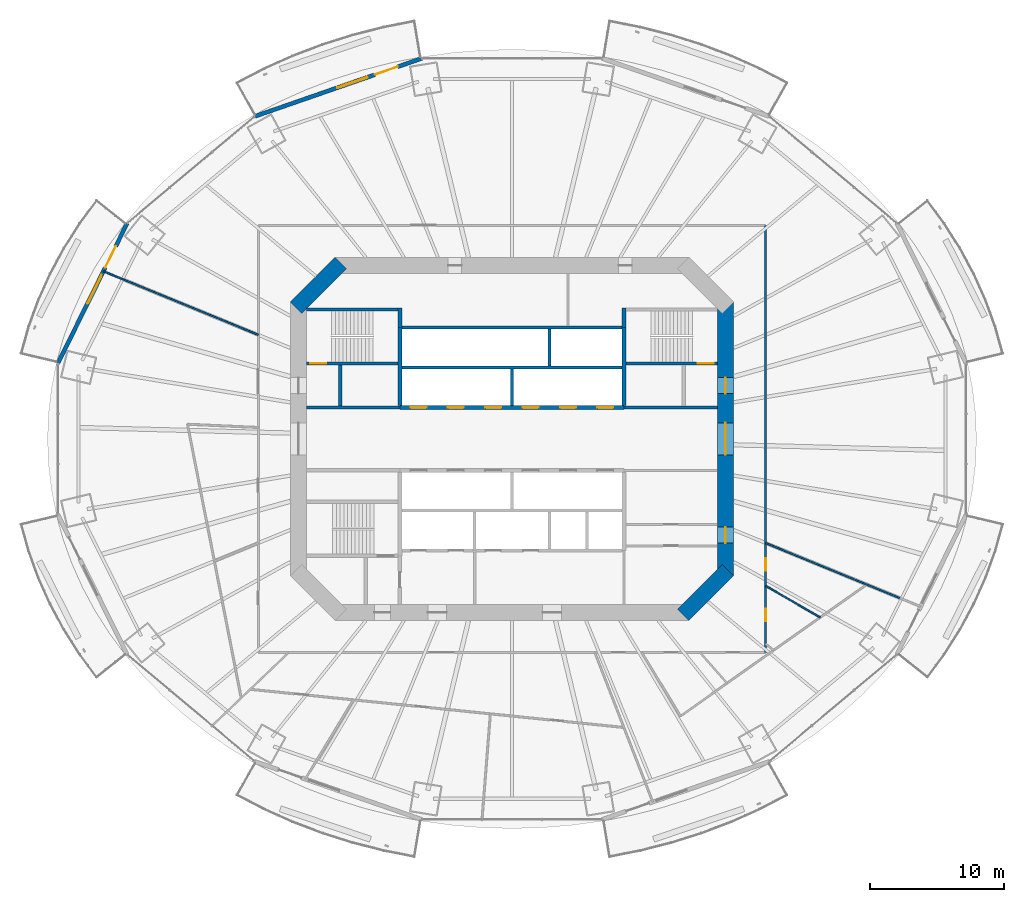
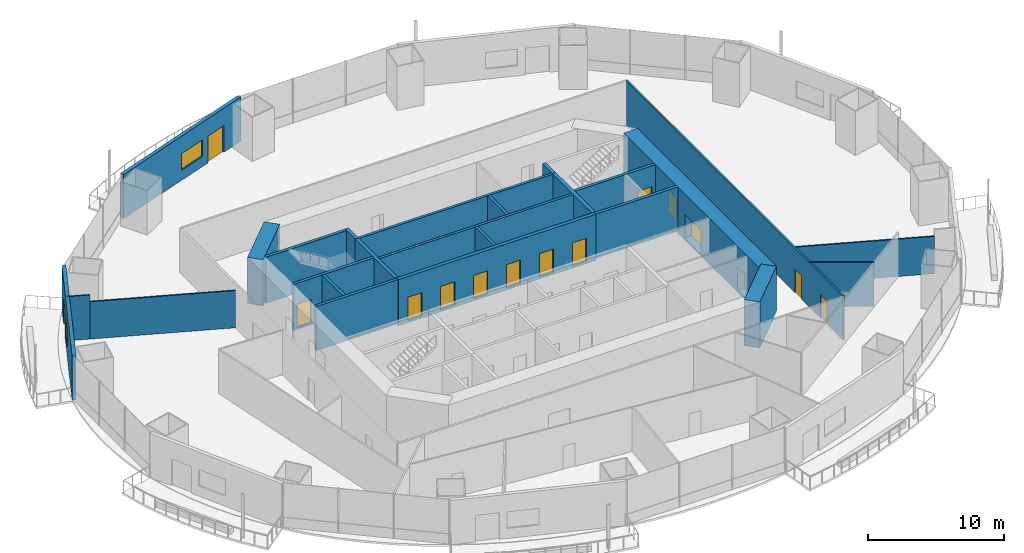
# One storey, part 15 of 22: 25 walls, 15 doors, 2 windows, 17 openings.
"""IFC4 building model written with IfcOpenShell, lengths in metres."""

from ifc_helpers import new_model, si_unit, direction, frame, frame_2d, origin, place, context, subcontext, project, spatial, rectangle, extrude, material, layer, layer_set, type_object, element, fill, save


model = new_model("IFC4")

# Units and contexts
model_context = context("Model", 3, precision=1e-05, world=origin(), true_north=direction((0.0, 1.0)))
body_context = subcontext(model_context, "Body", "Model", "MODEL_VIEW")
ifc_project = project(units=[si_unit("LENGTHUNIT", "METRE"), si_unit("AREAUNIT", "SQUARE_METRE"), si_unit("VOLUMEUNIT", "CUBIC_METRE"), si_unit("PLANEANGLEUNIT", "RADIAN"), si_unit("MASSUNIT", "GRAM", prefix="KILO")], contexts=[model_context])

# Site, building, storey
site_placement = place(None, origin())
site = spatial("IfcSite", under=ifc_project, at=site_placement, CompositionType="ELEMENT")
building_placement = place(site_placement, origin())
building = spatial("IfcBuilding", under=site, at=building_placement, Name="Marenthal Gate Tower", CompositionType="ELEMENT")
storey_placement = place(building_placement, frame((0.0, 0.0, 99.39990234375)))
storey = spatial("IfcBuildingStorey", under=building, at=storey_placement, Name="L20", CompositionType="ELEMENT", Elevation=99.39990234375)

# Wall
ifc_material_1 = material(Name="Concrete 60 MPa", Category="concrete")
ifc_layer_1 = layer(ifc_material_1, 1.199951171875)
ifc_layer_set_1 = layer_set([ifc_layer_1], Name="Core shear wall 1200")
wall_type_1 = type_object("IfcWallType", Name="Core shear wall 1200", PredefinedType="SHEAR", material=ifc_layer_set_1)
wall_1_placement = place(storey_placement, frame((12.82421875, -13.17578125, -0.179931640625), z_axis=(0.0, 0.0, 1.0), x_axis=(0.707106781187, 0.707106781187, 0.0)))
element("IfcWall", 1, at=wall_1_placement, inside=storey, type_object=wall_type_1, Name="Core wall 01", PredefinedType="SHEAR", context=body_context, shape_type="SweptSolid", body=[
    extrude(rectangle(XDim=4.73974609375, YDim=1.199951171875, at=frame_2d((2.369873046875, 0.0))), origin(), (0.0, 0.0, 1.0), 4.150146484375),
])

# Wall, openings, doors
wall_2_placement = place(storey_placement, frame((16.0, -10.24853515625, -0.179931640625), z_axis=(0.0, 0.0, 1.0), x_axis=(0.0, 1.0, 0.0)))
wall_2 = element("IfcWall", 2, at=wall_2_placement, inside=storey, type_object=wall_type_1, Name="Core wall 02", PredefinedType="SHEAR", context=body_context, shape_type="SweptSolid", body=[
    extrude(rectangle(XDim=20.4970703125, YDim=1.199951171875, at=frame_2d((10.24853515625, 0.0))), origin(), (0.0, 0.0, 1.0), 4.150146484375),
])
opening_1_placement = place(wall_2_placement, frame((9.048583984375, 0.0, 0.179931640625)))
opening_1 = element("IfcOpeningElement", 3, at=opening_1_placement, cuts=wall_2, Name="Opening D003.02", PredefinedType="OPENING", context=body_context, shape_type="SweptSolid", body=[
    extrude(rectangle(XDim=2.39990234375, YDim=2.10009765625, at=frame_2d((1.199951171875, 1.050048828125))), frame((0.0, 0.60986328125, 0.0), z_axis=(0.0, -1.0, 0.0), x_axis=(1.0, 0.0, 0.0)), (0.0, 0.0, 1.0), 1.219970703125),
])
opening_2_placement = place(wall_2_placement, frame((13.6484375, 0.0, 0.179931640625)))
opening_2 = element("IfcOpeningElement", 4, at=opening_2_placement, cuts=wall_2, Name="Opening D001.05", PredefinedType="OPENING", context=body_context, shape_type="SweptSolid", body=[
    extrude(rectangle(XDim=1.199951171875, YDim=2.10009765625, at=frame_2d((0.60009765625, 1.050048828125))), frame((0.0, 0.60986328125, 0.0), z_axis=(0.0, -1.0, 0.0), x_axis=(1.0, 0.0, 0.0)), (0.0, 0.0, 1.0), 1.219970703125),
])
opening_3_placement = place(wall_2_placement, frame((2.448486328125, 0.0, 0.179931640625)))
opening_3 = element("IfcOpeningElement", 5, at=opening_3_placement, cuts=wall_2, Name="Opening D006.01", PredefinedType="OPENING", context=body_context, shape_type="SweptSolid", body=[
    extrude(rectangle(XDim=1.199951171875, YDim=2.10009765625, at=frame_2d((0.60009765625, 1.050048828125))), frame((0.0, 0.60986328125, 0.0), z_axis=(0.0, -1.0, 0.0), x_axis=(1.0, 0.0, 0.0)), (0.0, 0.0, 1.0), 1.219970703125),
])
ifc_material_2 = material(Name="Steel fire door", Category="steel")
door_type_1 = type_object("IfcDoorType", Name="Double fire door FD 45 2400 x 2100", OperationType="DOUBLE_DOOR_SINGLE_SWING", PredefinedType="DOOR", material=ifc_material_2)
door_1_placement = place(opening_1_placement, origin())
door_1 = element("IfcDoor", 6, at=door_1_placement, inside=storey, type_object=door_type_1, Name="Door D003.02", OperationType="DOUBLE_DOOR_SINGLE_SWING", OverallHeight=2.10009765625, OverallWidth=2.39990234375, PredefinedType="DOOR", context=body_context, shape_type="SweptSolid", body=[
    extrude(rectangle(XDim=2.39990234375, YDim=2.10009765625, at=frame_2d((1.199951171875, 1.050048828125))), frame((0.0, 0.02490234375, 0.0), z_axis=(0.0, -1.0, 0.0), x_axis=(1.0, 0.0, 0.0)), (0.0, 0.0, 1.0), 0.050048828125),
])
fill(opening_1, door_1)
ifc_material_3 = material(Name="Steel fire door", Category="steel")
door_type_2 = type_object("IfcDoorType", Name="Fire door FD 45 1200 x 2100", OperationType="NOTDEFINED", PredefinedType="DOOR", material=ifc_material_3)
door_2_placement = place(opening_3_placement, origin())
door_2 = element("IfcDoor", 7, at=door_2_placement, inside=storey, type_object=door_type_2, Name="Door D006.01", OperationType="SINGLE_SWING_RIGHT", OverallHeight=2.10009765625, OverallWidth=1.199951171875, PredefinedType="DOOR", context=body_context, shape_type="SweptSolid", body=[
    extrude(rectangle(XDim=1.199951171875, YDim=2.10009765625, at=frame_2d((0.60009765625, 1.050048828125))), frame((0.0, 0.02490234375, 0.0), z_axis=(0.0, -1.0, 0.0), x_axis=(1.0, 0.0, 0.0)), (0.0, 0.0, 1.0), 0.050048828125),
])
fill(opening_3, door_2)
ifc_material_4 = material(Name="Steel fire door", Category="steel")
door_type_3 = type_object("IfcDoorType", Name="Fire door FD 90 1200 x 2100", OperationType="NOTDEFINED", PredefinedType="DOOR", material=ifc_material_4)
door_3_placement = place(opening_2_placement, origin())
door_3 = element("IfcDoor", 8, at=door_3_placement, inside=storey, type_object=door_type_3, Name="Door D001.05", OperationType="SINGLE_SWING_RIGHT", OverallHeight=2.10009765625, OverallWidth=1.199951171875, PredefinedType="DOOR", context=body_context, shape_type="SweptSolid", body=[
    extrude(rectangle(XDim=1.199951171875, YDim=2.10009765625, at=frame_2d((0.60009765625, 1.050048828125))), frame((0.0, 0.02490234375, 0.0), z_axis=(0.0, -1.0, 0.0), x_axis=(1.0, 0.0, 0.0)), (0.0, 0.0, 1.0), 0.050048828125),
])
fill(opening_2, door_3)

# Wall
wall_3_placement = place(storey_placement, frame((-12.82421875, 13.17578125, -0.179931640625), z_axis=(0.0, 0.0, 1.0), x_axis=(-0.707106781187, -0.707106781187, 0.0)))
element("IfcWall", 9, at=wall_3_placement, inside=storey, type_object=wall_type_1, Name="Core wall 05", PredefinedType="SHEAR", context=body_context, shape_type="SweptSolid", body=[
    extrude(rectangle(XDim=4.73974609375, YDim=1.199951171875, at=frame_2d((2.369873046875, 0.0))), origin(), (0.0, 0.0, 1.0), 4.150146484375),
])

# Wall, openings, doors
ifc_material_5 = material(Name="Concrete 50 MPa", Category="concrete")
ifc_layer_2 = layer(ifc_material_5, 0.300048828125)
ifc_layer_set_2 = layer_set([ifc_layer_2], Name="Hoistway shear wall 300")
wall_type_2 = type_object("IfcWallType", Name="Hoistway shear wall 300", PredefinedType="SHEAR", material=ifc_layer_set_2)
wall_4_placement = place(storey_placement, frame((-8.39990234375, 2.35009765625, -0.179931640625), z_axis=(0.0, 0.0, 1.0), x_axis=(1.0, 0.0, 0.0)))
wall_4 = element("IfcWall", 10, at=wall_4_placement, inside=storey, type_object=wall_type_2, Name="Hoistway wall 20", PredefinedType="SHEAR", context=body_context, shape_type="SweptSolid", body=[
    extrude(rectangle(XDim=16.7998046875, YDim=0.300048828125, at=frame_2d((8.39990234375, 0.0))), origin(), (0.0, 0.0, 1.0), 4.150146484375),
])
opening_4_placement = place(wall_4_placement, frame((0.800048828125, 0.0, 0.179931640625)))
opening_4 = element("IfcOpeningElement", 11, at=opening_4_placement, cuts=wall_4, Name="Opening LD-LP1", PredefinedType="OPENING", context=body_context, shape_type="SweptSolid", body=[
    extrude(rectangle(XDim=1.199951171875, YDim=2.10009765625, at=frame_2d((0.60009765625, 1.050048828125))), frame((0.0, 0.16015625, 0.0), z_axis=(0.0, -1.0, 0.0), x_axis=(1.0, 0.0, 0.0)), (0.0, 0.0, 1.0), 0.320068359375),
])
opening_5_placement = place(wall_4_placement, frame((3.60009765625, 0.0, 0.179931640625)))
opening_5 = element("IfcOpeningElement", 12, at=opening_5_placement, cuts=wall_4, Name="Opening LD-LP2", PredefinedType="OPENING", context=body_context, shape_type="SweptSolid", body=[
    extrude(rectangle(XDim=1.199951171875, YDim=2.10009765625, at=frame_2d((0.60009765625, 1.050048828125))), frame((0.0, 0.16015625, 0.0), z_axis=(0.0, -1.0, 0.0), x_axis=(1.0, 0.0, 0.0)), (0.0, 0.0, 1.0), 0.320068359375),
])
opening_6_placement = place(wall_4_placement, frame((6.39990234375, 0.0, 0.179931640625)))
opening_6 = element("IfcOpeningElement", 13, at=opening_6_placement, cuts=wall_4, Name="Opening LD-LP3", PredefinedType="OPENING", context=body_context, shape_type="SweptSolid", body=[
    extrude(rectangle(XDim=1.199951171875, YDim=2.10009765625, at=frame_2d((0.60009765625, 1.050048828125))), frame((0.0, 0.16015625, 0.0), z_axis=(0.0, -1.0, 0.0), x_axis=(1.0, 0.0, 0.0)), (0.0, 0.0, 1.0), 0.320068359375),
])
opening_7_placement = place(wall_4_placement, frame((9.199951171875, 0.0, 0.179931640625)))
opening_7 = element("IfcOpeningElement", 14, at=opening_7_placement, cuts=wall_4, Name="Opening LD-LP4", PredefinedType="OPENING", context=body_context, shape_type="SweptSolid", body=[
    extrude(rectangle(XDim=1.199951171875, YDim=2.10009765625, at=frame_2d((0.60009765625, 1.050048828125))), frame((0.0, 0.16015625, 0.0), z_axis=(0.0, -1.0, 0.0), x_axis=(1.0, 0.0, 0.0)), (0.0, 0.0, 1.0), 0.320068359375),
])
opening_8_placement = place(wall_4_placement, frame((12.0, 0.0, 0.179931640625)))
opening_8 = element("IfcOpeningElement", 15, at=opening_8_placement, cuts=wall_4, Name="Opening LD-LP5", PredefinedType="OPENING", context=body_context, shape_type="SweptSolid", body=[
    extrude(rectangle(XDim=1.199951171875, YDim=2.10009765625, at=frame_2d((0.60009765625, 1.050048828125))), frame((0.0, 0.16015625, 0.0), z_axis=(0.0, -1.0, 0.0), x_axis=(1.0, 0.0, 0.0)), (0.0, 0.0, 1.0), 0.320068359375),
])
opening_9_placement = place(wall_4_placement, frame((14.800048828125, 0.0, 0.179931640625)))
opening_9 = element("IfcOpeningElement", 16, at=opening_9_placement, cuts=wall_4, Name="Opening LD-LP6", PredefinedType="OPENING", context=body_context, shape_type="SweptSolid", body=[
    extrude(rectangle(XDim=1.199951171875, YDim=2.10009765625, at=frame_2d((0.60009765625, 1.050048828125))), frame((0.0, 0.16015625, 0.0), z_axis=(0.0, -1.0, 0.0), x_axis=(1.0, 0.0, 0.0)), (0.0, 0.0, 1.0), 0.320068359375),
])
ifc_material_6 = material(Name="Stainless steel sliding door", Category="steel")
door_type_4 = type_object("IfcDoorType", Name="Lift landing door FD 90 1200 x 2100", OperationType="DOUBLE_DOOR_SLIDING", PredefinedType="DOOR", material=ifc_material_6)
door_4_placement = place(opening_4_placement, origin())
door_4 = element("IfcDoor", 17, at=door_4_placement, inside=storey, type_object=door_type_4, Name="Lift landing door LP1", OperationType="DOUBLE_DOOR_SLIDING", OverallHeight=2.10009765625, OverallWidth=1.199951171875, PredefinedType="DOOR", context=body_context, shape_type="SweptSolid", body=[
    extrude(rectangle(XDim=1.199951171875, YDim=2.10009765625, at=frame_2d((0.60009765625, 1.050048828125))), frame((0.0, 0.02490234375, 0.0), z_axis=(0.0, -1.0, 0.0), x_axis=(1.0, 0.0, 0.0)), (0.0, 0.0, 1.0), 0.050048828125),
])
fill(opening_4, door_4)
door_5_placement = place(opening_5_placement, origin())
door_5 = element("IfcDoor", 18, at=door_5_placement, inside=storey, type_object=door_type_4, Name="Lift landing door LP2", OperationType="DOUBLE_DOOR_SLIDING", OverallHeight=2.10009765625, OverallWidth=1.199951171875, PredefinedType="DOOR", context=body_context, shape_type="SweptSolid", body=[
    extrude(rectangle(XDim=1.199951171875, YDim=2.10009765625, at=frame_2d((0.60009765625, 1.050048828125))), frame((0.0, 0.02490234375, 0.0), z_axis=(0.0, -1.0, 0.0), x_axis=(1.0, 0.0, 0.0)), (0.0, 0.0, 1.0), 0.050048828125),
])
fill(opening_5, door_5)
door_6_placement = place(opening_6_placement, origin())
door_6 = element("IfcDoor", 19, at=door_6_placement, inside=storey, type_object=door_type_4, Name="Lift landing door LP3", OperationType="DOUBLE_DOOR_SLIDING", OverallHeight=2.10009765625, OverallWidth=1.199951171875, PredefinedType="DOOR", context=body_context, shape_type="SweptSolid", body=[
    extrude(rectangle(XDim=1.199951171875, YDim=2.10009765625, at=frame_2d((0.60009765625, 1.050048828125))), frame((0.0, 0.02490234375, 0.0), z_axis=(0.0, -1.0, 0.0), x_axis=(1.0, 0.0, 0.0)), (0.0, 0.0, 1.0), 0.050048828125),
])
fill(opening_6, door_6)
door_7_placement = place(opening_7_placement, origin())
door_7 = element("IfcDoor", 20, at=door_7_placement, inside=storey, type_object=door_type_4, Name="Lift landing door LP4", OperationType="DOUBLE_DOOR_SLIDING", OverallHeight=2.10009765625, OverallWidth=1.199951171875, PredefinedType="DOOR", context=body_context, shape_type="SweptSolid", body=[
    extrude(rectangle(XDim=1.199951171875, YDim=2.10009765625, at=frame_2d((0.60009765625, 1.050048828125))), frame((0.0, 0.02490234375, 0.0), z_axis=(0.0, -1.0, 0.0), x_axis=(1.0, 0.0, 0.0)), (0.0, 0.0, 1.0), 0.050048828125),
])
fill(opening_7, door_7)
door_8_placement = place(opening_8_placement, origin())
door_8 = element("IfcDoor", 21, at=door_8_placement, inside=storey, type_object=door_type_4, Name="Lift landing door LP5", OperationType="DOUBLE_DOOR_SLIDING", OverallHeight=2.10009765625, OverallWidth=1.199951171875, PredefinedType="DOOR", context=body_context, shape_type="SweptSolid", body=[
    extrude(rectangle(XDim=1.199951171875, YDim=2.10009765625, at=frame_2d((0.60009765625, 1.050048828125))), frame((0.0, 0.02490234375, 0.0), z_axis=(0.0, -1.0, 0.0), x_axis=(1.0, 0.0, 0.0)), (0.0, 0.0, 1.0), 0.050048828125),
])
fill(opening_8, door_8)
door_9_placement = place(opening_9_placement, origin())
door_9 = element("IfcDoor", 22, at=door_9_placement, inside=storey, type_object=door_type_4, Name="Lift landing door LP6", OperationType="DOUBLE_DOOR_SLIDING", OverallHeight=2.10009765625, OverallWidth=1.199951171875, PredefinedType="DOOR", context=body_context, shape_type="SweptSolid", body=[
    extrude(rectangle(XDim=1.199951171875, YDim=2.10009765625, at=frame_2d((0.60009765625, 1.050048828125))), frame((0.0, 0.02490234375, 0.0), z_axis=(0.0, -1.0, 0.0), x_axis=(1.0, 0.0, 0.0)), (0.0, 0.0, 1.0), 0.050048828125),
])
fill(opening_9, door_9)

# Walls
for number, where, z_axis, x_axis, name in (
    (23, (-8.39990234375, 2.5, -0.179931640625), (0.0, 0.0, 1.0), (0.0, 1.0, 0.0), "Hoistway wall 32"),
    (24, (8.39990234375, 2.5, -0.179931640625), (0.0, 0.0, 1.0), (0.0, 1.0, 0.0), "Hoistway wall 44"),
):
    element("IfcWall", number, at=place(storey_placement, frame(where, z_axis=z_axis, x_axis=x_axis)), inside=storey, type_object=wall_type_2, Name=name, PredefinedType="SHEAR", context=body_context, shape_type="SweptSolid", body=[
        extrude(rectangle(XDim=5.85009765625, YDim=0.300048828125, at=frame_2d((2.925048828125, 0.0))), origin(), (0.0, 0.0, 1.0), 4.150146484375),
    ])
ifc_material_7 = material(Name="Concrete 40 MPa", Category="concrete")
ifc_layer_3 = layer(ifc_material_7, 0.219970703125)
ifc_layer_set_3 = layer_set([ifc_layer_3], Name="Hoistway wall 220")
wall_type_3 = type_object("IfcWallType", Name="Hoistway wall 220", PredefinedType="STANDARD", material=ifc_layer_set_3)
for number, where, z_axis, x_axis, name in (
    (25, (-8.25, 5.35009765625, 0.0), (0.0, 0.0, 1.0), (1.0, 0.0, 0.0), "Hoistway wall 22"),
    (26, (-8.25, 8.35009765625, 0.0), (0.0, 0.0, 1.0), (1.0, 0.0, 0.0), "Hoistway wall 25"),
):
    element("IfcWall", number, at=place(storey_placement, frame(where, z_axis=z_axis, x_axis=x_axis)), inside=storey, type_object=wall_type_3, Name=name, PredefinedType="STANDARD", context=body_context, shape_type="SweptSolid", body=[
        extrude(rectangle(XDim=16.5, YDim=0.219970703125, at=frame_2d((8.25, 0.0))), origin(), (0.0, 0.0, 1.0), 3.97021484375),
    ])
wall_5_placement = place(storey_placement, frame((0.0, 2.5, 0.0), z_axis=(0.0, 0.0, 1.0), x_axis=(0.0, 1.0, 0.0)))
element("IfcWall", 27, at=wall_5_placement, inside=storey, type_object=wall_type_3, Name="Hoistway wall 37", PredefinedType="STANDARD", context=body_context, shape_type="SweptSolid", body=[
    extrude(rectangle(XDim=2.739990234375, YDim=0.219970703125, at=frame_2d((1.3701171875, 0.0))), origin(), (0.0, 0.0, 1.0), 3.97021484375),
])
wall_6_placement = place(storey_placement, frame((2.800048828125, 5.4599609375, 0.0), z_axis=(0.0, 0.0, 1.0), x_axis=(0.0, 1.0, 0.0)))
element("IfcWall", 28, at=wall_6_placement, inside=storey, type_object=wall_type_3, Name="Hoistway wall 39", PredefinedType="STANDARD", context=body_context, shape_type="SweptSolid", body=[
    extrude(rectangle(XDim=2.780029296875, YDim=0.219970703125, at=frame_2d((1.39013671875, 0.0))), origin(), (0.0, 0.0, 1.0), 3.97021484375),
])
ifc_material_8 = material(Name="Gypsum board on steel studs", Category="steel")
ifc_layer_4 = layer(ifc_material_8, 0.1201171875)
ifc_layer_set_4 = layer_set([ifc_layer_4], Name="Partition 120")
wall_type_4 = type_object("IfcWallType", Name="Partition 120", PredefinedType="PARTITIONING", material=ifc_layer_set_4)
wall_7_placement = place(storey_placement, frame((-19.0, 7.796142578125, 0.0), z_axis=(0.0, 0.0, 1.0), x_axis=(-0.925143345305, 0.379617953524, 0.0)))
element("IfcWall", 29, at=wall_7_placement, inside=storey, type_object=wall_type_4, Name="Partition wall 52", PredefinedType="PARTITIONING", context=body_context, shape_type="SweptSolid", body=[
    extrude(rectangle(XDim=10.873291015625, YDim=0.1201171875, at=frame_2d((5.4365234375, 0.0))), origin(), (0.0, 0.0, 1.0), 3.358154296875),
])
wall_8_placement = place(storey_placement, frame((-29.059326171875, 11.923828125, 0.0), z_axis=(0.0, 0.0, 1.0), x_axis=(-0.925139536351, 0.379627235957, 0.0)))
element("IfcWall", 30, at=wall_8_placement, inside=storey, type_object=wall_type_4, Name="Partition wall 66", PredefinedType="PARTITIONING", context=body_context, shape_type="SweptSolid", body=[
    extrude(rectangle(XDim=1.6630859375, YDim=0.1201171875, at=frame_2d((0.83154296875, 0.0))), origin(), (0.0, 0.0, 1.0), 3.97021484375),
])
wall_9_placement = place(storey_placement, frame((19.0, -7.796142578125, 0.0), z_axis=(0.0, 0.0, 1.0), x_axis=(0.925143345305, -0.379617953524, 0.0)))
element("IfcWall", 31, at=wall_9_placement, inside=storey, type_object=wall_type_4, Name="Partition wall 62", PredefinedType="PARTITIONING", context=body_context, shape_type="SweptSolid", body=[
    extrude(rectangle(XDim=10.873291015625, YDim=0.1201171875, at=frame_2d((5.4365234375, 0.0))), origin(), (0.0, 0.0, 1.0), 3.358154296875),
])
wall_10_placement = place(storey_placement, frame((23.078857421875, -13.365478515625, 0.0), z_axis=(0.0, 0.0, 1.0), x_axis=(-0.865369539842, 0.501134272938, 0.0)))
element("IfcWall", 32, at=wall_10_placement, inside=storey, type_object=wall_type_4, Name="Partition wall 65", PredefinedType="PARTITIONING", context=body_context, shape_type="SweptSolid", body=[
    extrude(rectangle(XDim=4.71337890625, YDim=0.1201171875, at=frame_2d((2.356689453125, 0.0))), origin(), (0.0, 0.0, 1.0), 3.97021484375),
])

# Wall, openings, doors
ifc_material_9 = material(Name="Gypsum board on steel studs", Category="steel")
ifc_layer_5 = layer(ifc_material_9, 0.14990234375)
ifc_layer_set_5 = layer_set([ifc_layer_5], Name="Partition 150")
wall_type_5 = type_object("IfcWallType", Name="Partition 150", PredefinedType="PARTITIONING", material=ifc_layer_set_5)
wall_11_placement = place(storey_placement, frame((19.0, 16.0, 0.0), z_axis=(0.0, 0.0, 1.0), x_axis=(0.0, -1.0, 0.0)))
wall_11 = element("IfcWall", 33, at=wall_11_placement, inside=storey, type_object=wall_type_5, Name="Partition wall 63", PredefinedType="PARTITIONING", context=body_context, shape_type="SweptSolid", body=[
    extrude(rectangle(XDim=32.0, YDim=0.14990234375, at=frame_2d((16.0, 0.0))), origin(), (0.0, 0.0, 1.0), 3.97021484375),
])
opening_10_placement = place(wall_11_placement, frame((28.702880859375, 0.0, 0.0)))
opening_10 = element("IfcOpeningElement", 34, at=opening_10_placement, cuts=wall_11, Name="Opening D016.08", PredefinedType="OPENING", context=body_context, shape_type="SweptSolid", body=[
    extrude(rectangle(XDim=0.949951171875, YDim=2.10009765625, at=frame_2d((0.47509765625, 1.050048828125))), frame((0.0, 0.0849609375, 0.0), z_axis=(0.0, -1.0, 0.0), x_axis=(1.0, 0.0, 0.0)), (0.0, 0.0, 1.0), 0.169921875),
])
opening_11_placement = place(wall_11_placement, frame((24.924072265625, 0.0, 0.0)))
opening_11 = element("IfcOpeningElement", 35, at=opening_11_placement, cuts=wall_11, Name="Opening D016.09", PredefinedType="OPENING", context=body_context, shape_type="SweptSolid", body=[
    extrude(rectangle(XDim=0.949951171875, YDim=2.10009765625, at=frame_2d((0.47509765625, 1.050048828125))), frame((0.0, 0.0849609375, 0.0), z_axis=(0.0, -1.0, 0.0), x_axis=(1.0, 0.0, 0.0)), (0.0, 0.0, 1.0), 0.169921875),
])
ifc_material_10 = material(Name="Timber door", Category="wood")
door_type_5 = type_object("IfcDoorType", Name="Door 950 x 2100", OperationType="NOTDEFINED", PredefinedType="DOOR", material=ifc_material_10)
door_10_placement = place(opening_10_placement, origin())
door_10 = element("IfcDoor", 36, at=door_10_placement, inside=storey, type_object=door_type_5, Name="Door D016.08", OperationType="SINGLE_SWING_RIGHT", OverallHeight=2.10009765625, OverallWidth=0.949951171875, PredefinedType="DOOR", context=body_context, shape_type="SweptSolid", body=[
    extrude(rectangle(XDim=0.949951171875, YDim=2.10009765625, at=frame_2d((0.47509765625, 1.050048828125))), frame((0.0, 0.02490234375, 0.0), z_axis=(0.0, -1.0, 0.0), x_axis=(1.0, 0.0, 0.0)), (0.0, 0.0, 1.0), 0.050048828125),
])
fill(opening_10, door_10)
door_11_placement = place(opening_11_placement, origin())
door_11 = element("IfcDoor", 37, at=door_11_placement, inside=storey, type_object=door_type_5, Name="Door D016.09", OperationType="SINGLE_SWING_RIGHT", OverallHeight=2.10009765625, OverallWidth=0.949951171875, PredefinedType="DOOR", context=body_context, shape_type="SweptSolid", body=[
    extrude(rectangle(XDim=0.949951171875, YDim=2.10009765625, at=frame_2d((0.47509765625, 1.050048828125))), frame((0.0, 0.02490234375, 0.0), z_axis=(0.0, -1.0, 0.0), x_axis=(1.0, 0.0, 0.0)), (0.0, 0.0, 1.0), 0.050048828125),
])
fill(opening_11, door_11)

# Walls
ifc_material_11 = material(Name="Concrete 40 MPa", Category="concrete")
ifc_layer_6 = layer(ifc_material_11, 0.25)
ifc_layer_set_6 = layer_set([ifc_layer_6], Name="Stair enclosure wall 250")
wall_type_6 = type_object("IfcWallType", Name="Stair enclosure wall 250", PredefinedType="STANDARD", material=ifc_layer_set_6)
for number, where, z_axis, x_axis, name in (
    (38, (-15.39990234375, 2.35009765625, 0.0), (0.0, 0.0, 1.0), (1.0, 0.0, 0.0), "Stair wall 19"),
    (39, (8.39990234375, 2.35009765625, 0.0), (0.0, 0.0, 1.0), (1.0, 0.0, 0.0), "Stair wall 21"),
):
    element("IfcWall", number, at=place(storey_placement, frame(where, z_axis=z_axis, x_axis=x_axis)), inside=storey, type_object=wall_type_6, Name=name, PredefinedType="STANDARD", context=body_context, shape_type="SweptSolid", body=[
        extrude(rectangle(XDim=7.0, YDim=0.25, at=frame_2d((3.5, 0.0))), origin(), (0.0, 0.0, 1.0), 3.97021484375),
    ])
wall_12_placement = place(storey_placement, frame((-12.85009765625, 2.47509765625, 0.0), z_axis=(0.0, 0.0, 1.0), x_axis=(0.0, 1.0, 0.0)))
element("IfcWall", 40, at=wall_12_placement, inside=storey, type_object=wall_type_6, Name="Stair wall 28", PredefinedType="STANDARD", context=body_context, shape_type="SweptSolid", body=[
    extrude(rectangle(XDim=3.0498046875, YDim=0.25, at=frame_2d((1.52490234375, 0.0))), origin(), (0.0, 0.0, 1.0), 3.97021484375),
])

# Wall, opening, door
ifc_material_12 = material(Name="Concrete 50 MPa", Category="concrete")
ifc_layer_7 = layer(ifc_material_12, 0.25)
ifc_layer_set_7 = layer_set([ifc_layer_7], Name="Stair shear wall 250")
wall_type_7 = type_object("IfcWallType", Name="Stair shear wall 250", PredefinedType="SHEAR", material=ifc_layer_set_7)
wall_13_placement = place(storey_placement, frame((-15.39990234375, 5.64990234375, -0.179931640625), z_axis=(0.0, 0.0, 1.0), x_axis=(1.0, 0.0, 0.0)))
wall_13 = element("IfcWall", 41, at=wall_13_placement, inside=storey, type_object=wall_type_7, Name="Stair wall 23", PredefinedType="SHEAR", context=body_context, shape_type="SweptSolid", body=[
    extrude(rectangle(XDim=6.849853515625, YDim=0.25, at=frame_2d((3.4248046875, 0.0))), origin(), (0.0, 0.0, 1.0), 4.150146484375),
])
opening_12_placement = place(wall_13_placement, frame((0.300048828125, 0.0, 0.179931640625)))
opening_12 = element("IfcOpeningElement", 42, at=opening_12_placement, cuts=wall_13, Name="Opening D001.01", PredefinedType="OPENING", context=body_context, shape_type="SweptSolid", body=[
    extrude(rectangle(XDim=1.199951171875, YDim=2.10009765625, at=frame_2d((0.60009765625, 1.050048828125))), frame((0.0, 0.135009765625, 0.0), z_axis=(0.0, -1.0, 0.0), x_axis=(1.0, 0.0, 0.0)), (0.0, 0.0, 1.0), 0.27001953125),
])
door_12_placement = place(opening_12_placement, origin())
door_12 = element("IfcDoor", 43, at=door_12_placement, inside=storey, type_object=door_type_3, Name="Door D001.01", OperationType="SINGLE_SWING_RIGHT", OverallHeight=2.10009765625, OverallWidth=1.199951171875, PredefinedType="DOOR", context=body_context, shape_type="SweptSolid", body=[
    extrude(rectangle(XDim=1.199951171875, YDim=2.10009765625, at=frame_2d((0.60009765625, 1.050048828125))), frame((0.0, 0.02490234375, 0.0), z_axis=(0.0, -1.0, 0.0), x_axis=(1.0, 0.0, 0.0)), (0.0, 0.0, 1.0), 0.050048828125),
])
fill(opening_12, door_12)

wall_14_placement = place(storey_placement, frame((8.550048828125, 5.64990234375, -0.179931640625), z_axis=(0.0, 0.0, 1.0), x_axis=(1.0, 0.0, 0.0)))
wall_14 = element("IfcWall", 44, at=wall_14_placement, inside=storey, type_object=wall_type_7, Name="Stair wall 24", PredefinedType="SHEAR", context=body_context, shape_type="SweptSolid", body=[
    extrude(rectangle(XDim=6.849853515625, YDim=0.25, at=frame_2d((3.4248046875, 0.0))), origin(), (0.0, 0.0, 1.0), 4.150146484375),
])
opening_13_placement = place(wall_14_placement, frame((5.35009765625, 0.0, 0.179931640625)))
opening_13 = element("IfcOpeningElement", 45, at=opening_13_placement, cuts=wall_14, Name="Opening D001.02", PredefinedType="OPENING", context=body_context, shape_type="SweptSolid", body=[
    extrude(rectangle(XDim=1.199951171875, YDim=2.10009765625, at=frame_2d((0.60009765625, 1.050048828125))), frame((0.0, 0.135009765625, 0.0), z_axis=(0.0, -1.0, 0.0), x_axis=(1.0, 0.0, 0.0)), (0.0, 0.0, 1.0), 0.27001953125),
])
door_13_placement = place(opening_13_placement, origin())
door_13 = element("IfcDoor", 46, at=door_13_placement, inside=storey, type_object=door_type_3, Name="Door D001.02", OperationType="SINGLE_SWING_RIGHT", OverallHeight=2.10009765625, OverallWidth=1.199951171875, PredefinedType="DOOR", context=body_context, shape_type="SweptSolid", body=[
    extrude(rectangle(XDim=1.199951171875, YDim=2.10009765625, at=frame_2d((0.60009765625, 1.050048828125))), frame((0.0, 0.02490234375, 0.0), z_axis=(0.0, -1.0, 0.0), x_axis=(1.0, 0.0, 0.0)), (0.0, 0.0, 1.0), 0.050048828125),
])
fill(opening_13, door_13)

# Walls
wall_15_placement = place(storey_placement, frame((-15.39990234375, 9.699951171875, -0.179931640625), z_axis=(0.0, 0.0, 1.0), x_axis=(1.0, 0.0, 0.0)))
element("IfcWall", 47, at=wall_15_placement, inside=storey, type_object=wall_type_7, Name="Stair wall 26", PredefinedType="SHEAR", context=body_context, shape_type="SweptSolid", body=[
    extrude(rectangle(XDim=6.849853515625, YDim=0.25, at=frame_2d((3.4248046875, 0.0))), origin(), (0.0, 0.0, 1.0), 4.150146484375),
])
ifc_material_13 = material(Name="Concrete 50 MPa", Category="concrete")
ifc_layer_8 = layer(ifc_material_13, 0.300048828125)
ifc_layer_set_8 = layer_set([ifc_layer_8], Name="Stair shear wall 300")
wall_type_8 = type_object("IfcWallType", Name="Stair shear wall 300", PredefinedType="SHEAR", material=ifc_layer_set_8)
for number, where, z_axis, x_axis, name in (
    (48, (-8.39990234375, 8.35009765625, -0.179931640625), (0.0, 0.0, 1.0), (0.0, 1.0, 0.0), "Stair wall 33"),
    (49, (8.39990234375, 8.35009765625, -0.179931640625), (0.0, 0.0, 1.0), (0.0, 1.0, 0.0), "Stair wall 45"),
):
    element("IfcWall", number, at=place(storey_placement, frame(where, z_axis=z_axis, x_axis=x_axis)), inside=storey, type_object=wall_type_8, Name=name, PredefinedType="SHEAR", context=body_context, shape_type="SweptSolid", body=[
        extrude(rectangle(XDim=1.474853515625, YDim=0.300048828125, at=frame_2d((0.7373046875, 0.0))), origin(), (0.0, 0.0, 1.0), 4.150146484375),
    ])

# Wall, openings, door, window
ifc_material_14 = material(Name="Terracotta cladding on insulated concrete-block backing", Category="masonry")
ifc_layer_9 = layer(ifc_material_14, 0.300048828125)
ifc_layer_set_9 = layer_set([ifc_layer_9], Name="Terracotta facade wall 300")
wall_type_9 = type_object("IfcWallType", Name="Terracotta facade wall 300", PredefinedType="SOLIDWALL", material=ifc_layer_set_9)
wall_16_placement = place(storey_placement, frame((-6.763427734375, 28.494873046875, 0.0), z_axis=(0.0, 0.0, 1.0), x_axis=(-0.944700030718, -0.327935743647, 0.0)))
wall_16 = element("IfcWall", 50, at=wall_16_placement, inside=storey, type_object=wall_type_9, Name="Terracotta facade wall L20 bay 5", PredefinedType="SOLIDWALL", context=body_context, shape_type="SweptSolid", body=[
    extrude(rectangle(XDim=13.228515625, YDim=0.300048828125, at=frame_2d((6.6142578125, 0.0))), origin(), (0.0, 0.0, 1.0), 3.97021484375),
])
opening_14_placement = place(wall_16_placement, frame((1.89990234375, 0.0, 0.0)))
opening_14 = element("IfcOpeningElement", 51, at=opening_14_placement, cuts=wall_16, Name="Opening BD-L20-05", PredefinedType="OPENING", context=body_context, shape_type="SweptSolid", body=[
    extrude(rectangle(XDim=1.800048828125, YDim=2.39990234375, at=frame_2d((0.89990234375, 1.199951171875))), frame((0.0, 0.16015625, 0.0), z_axis=(0.0, -1.0, 0.0), x_axis=(1.0, 0.0, 0.0)), (0.0, 0.0, 1.0), 0.320068359375),
])
opening_15_placement = place(wall_16_placement, frame((4.300048828125, 0.0, 0.89990234375)))
opening_15 = element("IfcOpeningElement", 52, at=opening_15_placement, cuts=wall_16, Name="Opening WN1-L20-05", PredefinedType="OPENING", context=body_context, shape_type="SweptSolid", body=[
    extrude(rectangle(XDim=2.39990234375, YDim=1.5, at=frame_2d((1.199951171875, 0.75))), frame((0.0, 0.16015625, 0.0), z_axis=(0.0, -1.0, 0.0), x_axis=(1.0, 0.0, 0.0)), (0.0, 0.0, 1.0), 0.320068359375),
])
ifc_material_15 = material(Name="Aluminium and glass", Category="aluminium")
door_type_6 = type_object("IfcDoorType", Name="Balcony door 1800x2400", OperationType="DOUBLE_DOOR_SINGLE_SWING", PredefinedType="DOOR", material=ifc_material_15)
door_14_placement = place(opening_14_placement, origin())
door_14 = element("IfcDoor", 53, at=door_14_placement, inside=storey, type_object=door_type_6, Name="Balcony door L20 bay 5", OperationType="SINGLE_SWING_LEFT", OverallHeight=2.39990234375, OverallWidth=1.800048828125, PredefinedType="DOOR", context=body_context, shape_type="SweptSolid", body=[
    extrude(rectangle(XDim=1.800048828125, YDim=2.39990234375, at=frame_2d((0.89990234375, 1.199951171875))), frame((0.0, 0.02490234375, 0.0), z_axis=(0.0, -1.0, 0.0), x_axis=(1.0, 0.0, 0.0)), (0.0, 0.0, 1.0), 0.050048828125),
])
fill(opening_14, door_14)
ifc_material_16 = material(Name="Aluminium and glass", Category="aluminium")
window_type = type_object("IfcWindowType", Name="Window 2400x1500", PartitioningType="TRIPLE_PANEL_VERTICAL", PredefinedType="WINDOW", material=ifc_material_16)
window_1_placement = place(opening_15_placement, origin())
window_1 = element("IfcWindow", 54, at=window_1_placement, inside=storey, type_object=window_type, Name="Window L20 bay 5", OverallHeight=1.5, OverallWidth=2.39990234375, PartitioningType="SINGLE_PANEL", PredefinedType="WINDOW", context=body_context, shape_type="SweptSolid", body=[
    extrude(rectangle(XDim=2.39990234375, YDim=1.5, at=frame_2d((1.199951171875, 0.75))), frame((0.0, 0.030029296875, 0.0), z_axis=(0.0, -1.0, 0.0), x_axis=(1.0, 0.0, 0.0)), (0.0, 0.0, 1.0), 0.06005859375),
])
fill(opening_15, window_1)

wall_17_placement = place(storey_placement, frame((-28.825439453125, 16.14111328125, 0.0), z_axis=(0.0, 0.0, 1.0), x_axis=(-0.4430961796, -0.896474079728, 0.0)))
wall_17 = element("IfcWall", 55, at=wall_17_placement, inside=storey, type_object=wall_type_9, Name="Terracotta facade wall L20 bay 7", PredefinedType="SOLIDWALL", context=body_context, shape_type="SweptSolid", body=[
    extrude(rectangle(XDim=11.6826171875, YDim=0.300048828125, at=frame_2d((5.84130859375, 0.0))), origin(), (0.0, 0.0, 1.0), 3.97021484375),
])
opening_16_placement = place(wall_17_placement, frame((1.89990234375, 0.0, 0.0)))
opening_16 = element("IfcOpeningElement", 56, at=opening_16_placement, cuts=wall_17, Name="Opening BD-L20-07", PredefinedType="OPENING", context=body_context, shape_type="SweptSolid", body=[
    extrude(rectangle(XDim=1.800048828125, YDim=2.39990234375, at=frame_2d((0.89990234375, 1.199951171875))), frame((0.0, 0.16015625, 0.0), z_axis=(0.0, -1.0, 0.0), x_axis=(1.0, 0.0, 0.0)), (0.0, 0.0, 1.0), 0.320068359375),
])
opening_17_placement = place(wall_17_placement, frame((4.300048828125, 0.0, 0.89990234375)))
opening_17 = element("IfcOpeningElement", 57, at=opening_17_placement, cuts=wall_17, Name="Opening WN1-L20-07", PredefinedType="OPENING", context=body_context, shape_type="SweptSolid", body=[
    extrude(rectangle(XDim=2.39990234375, YDim=1.5, at=frame_2d((1.199951171875, 0.75))), frame((0.0, 0.16015625, 0.0), z_axis=(0.0, -1.0, 0.0), x_axis=(1.0, 0.0, 0.0)), (0.0, 0.0, 1.0), 0.320068359375),
])
door_15_placement = place(opening_16_placement, origin())
door_15 = element("IfcDoor", 58, at=door_15_placement, inside=storey, type_object=door_type_6, Name="Balcony door L20 bay 7", OperationType="SINGLE_SWING_LEFT", OverallHeight=2.39990234375, OverallWidth=1.800048828125, PredefinedType="DOOR", context=body_context, shape_type="SweptSolid", body=[
    extrude(rectangle(XDim=1.800048828125, YDim=2.39990234375, at=frame_2d((0.89990234375, 1.199951171875))), frame((0.0, 0.02490234375, 0.0), z_axis=(0.0, -1.0, 0.0), x_axis=(1.0, 0.0, 0.0)), (0.0, 0.0, 1.0), 0.050048828125),
])
fill(opening_16, door_15)
window_2_placement = place(opening_17_placement, origin())
window_2 = element("IfcWindow", 59, at=window_2_placement, inside=storey, type_object=window_type, Name="Window L20 bay 7", OverallHeight=1.5, OverallWidth=2.39990234375, PartitioningType="SINGLE_PANEL", PredefinedType="WINDOW", context=body_context, shape_type="SweptSolid", body=[
    extrude(rectangle(XDim=2.39990234375, YDim=1.5, at=frame_2d((1.199951171875, 0.75))), frame((0.0, 0.030029296875, 0.0), z_axis=(0.0, -1.0, 0.0), x_axis=(1.0, 0.0, 0.0)), (0.0, 0.0, 1.0), 0.06005859375),
])
fill(opening_17, window_2)

save(model, "model.ifc")
